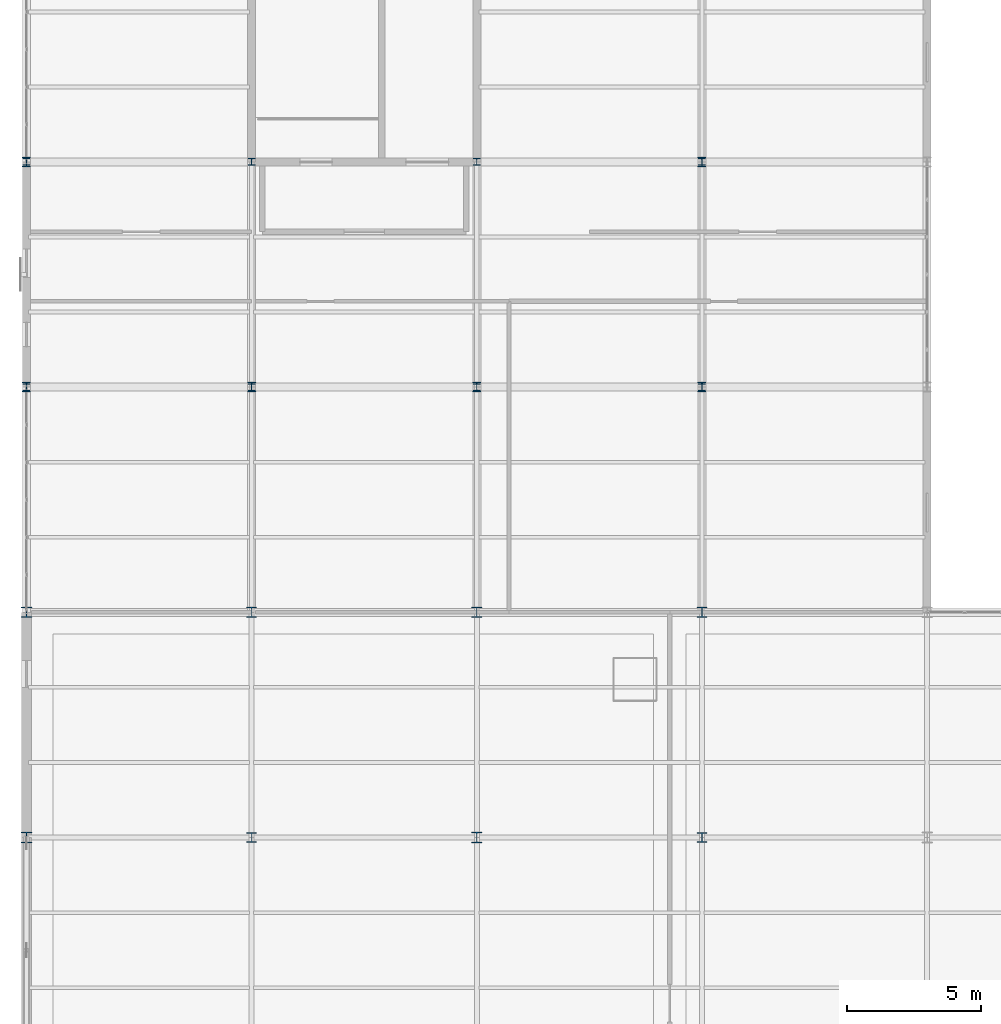
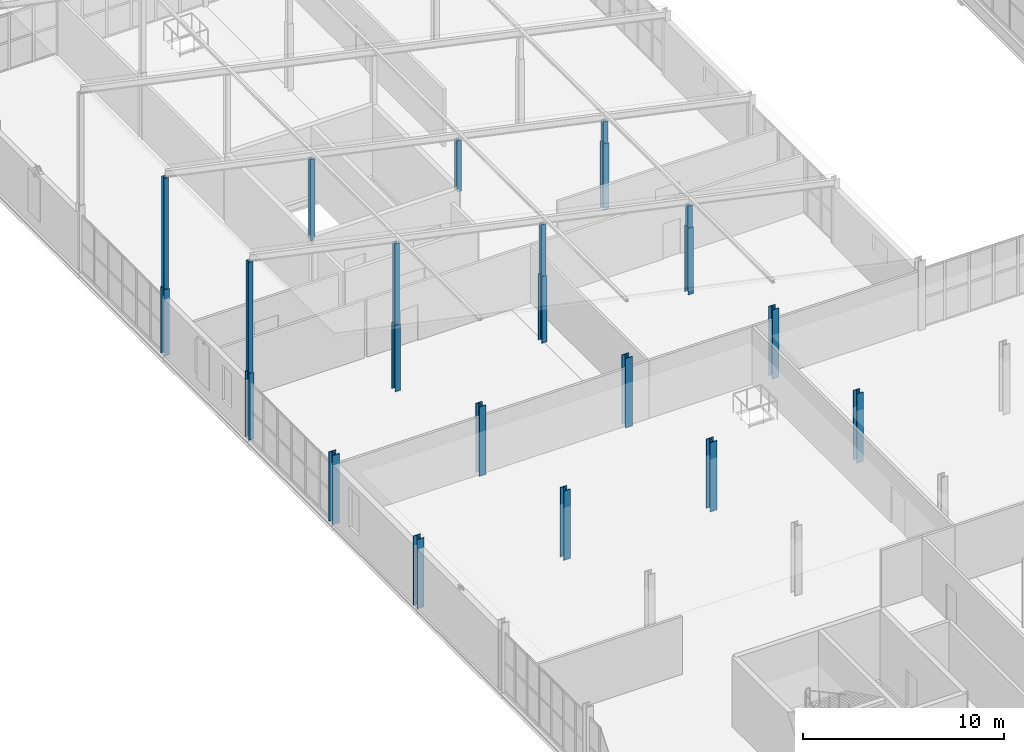
# One storey, part 3 of 184: 22 columns.
"""IFC4 building model written with IfcOpenShell, lengths in metres."""

from ifc_helpers import new_model, si_unit, direction, frame, origin, origin_2d, place, context, subcontext, project, spatial, i_section, extrude, material, material_profile, profile_set, type_object, element, save


model = new_model("IFC4")

# Units and contexts
model_context = context("Model", 3, precision=1e-05, world=origin(), true_north=direction((0.0, 1.0)))
body_context = subcontext(model_context, "Body", "Model", "MODEL_VIEW")
ifc_project = project(units=[si_unit("LENGTHUNIT", "METRE"), si_unit("AREAUNIT", "SQUARE_METRE"), si_unit("VOLUMEUNIT", "CUBIC_METRE"), si_unit("PLANEANGLEUNIT", "RADIAN"), si_unit("MASSUNIT", "GRAM", prefix="KILO")], contexts=[model_context])

# Site, building, storey
site_placement = place(None, origin())
site = spatial("IfcSite", under=ifc_project, at=site_placement, CompositionType="ELEMENT")
building_placement = place(site_placement, origin())
building = spatial("IfcBuilding", under=site, at=building_placement, Name="Qalvenar Corner Mobility Hub", CompositionType="ELEMENT")
storey_placement = place(building_placement, frame((0.0, 0.0, 9.0)))
storey = spatial("IfcBuildingStorey", under=building, at=storey_placement, Name="L02", CompositionType="ELEMENT", Elevation=9.0)

# Columns
ifc_material = material(Name="Steel S355", Category="steel")
ifc_material_profile_1 = material_profile(ifc_material, i_section(OverallWidth=0.376953125, OverallDepth=0.386962890625, WebThickness=0.0224609375, FlangeThickness=0.035888671875, FilletRadius=0.014892578125, at=origin_2d()), Name="HD360x262")
ifc_profile_set_1 = profile_set([ifc_material_profile_1], Name="Steel S355")
column_type_1 = type_object("IfcColumnType", Name="COL-HD360X262", PredefinedType="COLUMN", material=ifc_profile_set_1)
for number, where, z_axis, x_axis, name in (
    (1, (8.39990234375, 33.60009765625, 0.0), (0.0, 0.0, 1.0), (1.0, 0.0, 0.0), "Steel Column L02-G2-4"),
    (2, (8.39990234375, 42.0, 0.0), (0.0, 0.0, 1.0), (1.0, 0.0, 0.0), "Steel Column L02-G2-5"),
    (3, (25.199951171875, 33.60009765625, 0.0), (0.0, 0.0, 1.0), (1.0, 0.0, 0.0), "Steel Column L02-G4-4"),
    (4, (25.199951171875, 42.0, 0.0), (0.0, 0.0, 1.0), (1.0, 0.0, 0.0), "Steel Column L02-G4-5"),
):
    element("IfcColumn", number, at=place(storey_placement, frame(where, z_axis=z_axis, x_axis=x_axis)), inside=storey, type_object=column_type_1, Name=name, PredefinedType="COLUMN", context=body_context, shape_type="SweptSolid", body=[
        extrude(i_section(OverallWidth=0.376953125, OverallDepth=0.386962890625, WebThickness=0.0224609375, FlangeThickness=0.035888671875, FilletRadius=0.014892578125, at=origin_2d()), origin(), (0.0, 0.0, 1.0), 4.199951171875),
    ])
ifc_material_profile_2 = material_profile(ifc_material, i_section(OverallWidth=0.40087890625, OverallDepth=0.39892578125, WebThickness=0.02490234375, FlangeThickness=0.03955078125, FilletRadius=0.014892578125, at=origin_2d()), Name="HD400x314")
ifc_profile_set_2 = profile_set([ifc_material_profile_2], Name="Steel S355")
column_type_2 = type_object("IfcColumnType", Name="COL-HD400X314", PredefinedType="COLUMN", material=ifc_profile_set_2)
for number, where, z_axis, x_axis, name in (
    (5, (0.0, 33.60009765625, 0.0), (0.0, 0.0, 1.0), (1.0, 0.0, 0.0), "Steel Column L02-G1-4"),
    (6, (0.0, 42.0, 0.0), (0.0, 0.0, 1.0), (1.0, 0.0, 0.0), "Steel Column L02-G1-5"),
    (7, (16.800048828125, 33.60009765625, 0.0), (0.0, 0.0, 1.0), (1.0, 0.0, 0.0), "Steel Column L02-G3-4"),
    (8, (16.800048828125, 42.0, 0.0), (0.0, 0.0, 1.0), (1.0, 0.0, 0.0), "Steel Column L02-G3-5"),
):
    element("IfcColumn", number, at=place(storey_placement, frame(where, z_axis=z_axis, x_axis=x_axis)), inside=storey, type_object=column_type_2, Name=name, PredefinedType="COLUMN", context=body_context, shape_type="SweptSolid", body=[
        extrude(i_section(OverallWidth=0.40087890625, OverallDepth=0.39892578125, WebThickness=0.02490234375, FlangeThickness=0.03955078125, FilletRadius=0.014892578125, at=origin_2d()), origin(), (0.0, 0.0, 1.0), 4.199951171875),
    ])
ifc_material_profile_3 = material_profile(ifc_material, i_section(OverallWidth=0.300048828125, OverallDepth=0.35009765625, WebThickness=0.010009765625, FlangeThickness=0.017578125, FilletRadius=0.027099609375, at=origin_2d()), Name="HEA360")
ifc_profile_set_3 = profile_set([ifc_material_profile_3], Name="Steel S355")
column_type_3 = type_object("IfcColumnType", Name="COL-HEA360", PredefinedType="COLUMN", material=ifc_profile_set_3)
for number, where, z_axis, x_axis, name in (
    (9, (8.39990234375, 50.39990234375, 0.0), (0.0, 0.0, 1.0), (1.0, 0.0, 0.0), "Steel Column L02-G2-6"),
    (10, (25.199951171875, 50.39990234375, 0.0), (0.0, 0.0, 1.0), (1.0, 0.0, 0.0), "Steel Column L02-G4-6"),
    (11, (25.199951171875, 58.800048828125, 0.0), (0.0, 0.0, 1.0), (1.0, 0.0, 0.0), "Steel Column L02-G4-7"),
):
    element("IfcColumn", number, at=place(storey_placement, frame(where, z_axis=z_axis, x_axis=x_axis)), inside=storey, type_object=column_type_3, Name=name, PredefinedType="COLUMN", context=body_context, shape_type="SweptSolid", body=[
        extrude(i_section(OverallWidth=0.300048828125, OverallDepth=0.35009765625, WebThickness=0.010009765625, FlangeThickness=0.017578125, FilletRadius=0.027099609375, at=origin_2d()), origin(), (0.0, 0.0, 1.0), 4.030029296875),
    ])
ifc_material_profile_4 = material_profile(ifc_material, i_section(OverallWidth=0.260009765625, OverallDepth=0.260009765625, WebThickness=0.010009765625, FlangeThickness=0.017578125, FilletRadius=0.02392578125, at=origin_2d()), Name="HEB260")
ifc_profile_set_4 = profile_set([ifc_material_profile_4], Name="Steel S355")
column_type_4 = type_object("IfcColumnType", Name="COL-HEB260", PredefinedType="COLUMN", material=ifc_profile_set_4)
column_1_placement = place(storey_placement, frame((0.0, 50.39990234375, 4.030029296875), z_axis=(0.0, 0.0, 1.0), x_axis=(1.0, 0.0, 0.0)))
element("IfcColumn", 12, at=column_1_placement, inside=storey, type_object=column_type_4, Name="Bicycle Roof Post V5R-2-1", PredefinedType="COLUMN", context=body_context, shape_type="SweptSolid", body=[
    extrude(i_section(OverallWidth=0.260009765625, OverallDepth=0.260009765625, WebThickness=0.010009765625, FlangeThickness=0.017578125, FilletRadius=0.02392578125, at=origin_2d()), origin(), (0.0, 0.0, 1.0), 6.7099609375),
])
column_2_placement = place(storey_placement, frame((8.39990234375, 50.39990234375, 4.030029296875), z_axis=(0.0, 0.0, 1.0), x_axis=(1.0, 0.0, 0.0)))
element("IfcColumn", 13, at=column_2_placement, inside=storey, type_object=column_type_4, Name="Bicycle Roof Post V5R-2-2", PredefinedType="COLUMN", context=body_context, shape_type="SweptSolid", body=[
    extrude(i_section(OverallWidth=0.260009765625, OverallDepth=0.260009765625, WebThickness=0.010009765625, FlangeThickness=0.017578125, FilletRadius=0.02392578125, at=origin_2d()), origin(), (0.0, 0.0, 1.0), 4.909912109375),
])
column_3_placement = place(storey_placement, frame((16.800048828125, 50.39990234375, 4.030029296875), z_axis=(0.0, 0.0, 1.0), x_axis=(1.0, 0.0, 0.0)))
element("IfcColumn", 14, at=column_3_placement, inside=storey, type_object=column_type_4, Name="Bicycle Roof Post V5R-2-3", PredefinedType="COLUMN", context=body_context, shape_type="SweptSolid", body=[
    extrude(i_section(OverallWidth=0.260009765625, OverallDepth=0.260009765625, WebThickness=0.010009765625, FlangeThickness=0.017578125, FilletRadius=0.02392578125, at=origin_2d()), origin(), (0.0, 0.0, 1.0), 3.10986328125),
])
column_4_placement = place(storey_placement, frame((25.199951171875, 50.39990234375, 4.030029296875), z_axis=(0.0, 0.0, 1.0), x_axis=(1.0, 0.0, 0.0)))
element("IfcColumn", 15, at=column_4_placement, inside=storey, type_object=column_type_4, Name="Bicycle Roof Post V5R-2-4", PredefinedType="COLUMN", context=body_context, shape_type="SweptSolid", body=[
    extrude(i_section(OverallWidth=0.260009765625, OverallDepth=0.260009765625, WebThickness=0.010009765625, FlangeThickness=0.017578125, FilletRadius=0.02392578125, at=origin_2d()), origin(), (0.0, 0.0, 1.0), 1.31005859375),
])
column_5_placement = place(storey_placement, frame((0.0, 58.800048828125, 4.030029296875), z_axis=(0.0, 0.0, 1.0), x_axis=(1.0, 0.0, 0.0)))
element("IfcColumn", 16, at=column_5_placement, inside=storey, type_object=column_type_4, Name="Bicycle Roof Post V5R-3-1", PredefinedType="COLUMN", context=body_context, shape_type="SweptSolid", body=[
    extrude(i_section(OverallWidth=0.260009765625, OverallDepth=0.260009765625, WebThickness=0.010009765625, FlangeThickness=0.017578125, FilletRadius=0.02392578125, at=origin_2d()), origin(), (0.0, 0.0, 1.0), 6.7099609375),
])
column_6_placement = place(storey_placement, frame((8.39990234375, 58.800048828125, 4.030029296875), z_axis=(0.0, 0.0, 1.0), x_axis=(1.0, 0.0, 0.0)))
element("IfcColumn", 17, at=column_6_placement, inside=storey, type_object=column_type_4, Name="Bicycle Roof Post V5R-3-2", PredefinedType="COLUMN", context=body_context, shape_type="SweptSolid", body=[
    extrude(i_section(OverallWidth=0.260009765625, OverallDepth=0.260009765625, WebThickness=0.010009765625, FlangeThickness=0.017578125, FilletRadius=0.02392578125, at=origin_2d()), origin(), (0.0, 0.0, 1.0), 4.909912109375),
])
column_7_placement = place(storey_placement, frame((16.800048828125, 58.800048828125, 4.030029296875), z_axis=(0.0, 0.0, 1.0), x_axis=(1.0, 0.0, 0.0)))
element("IfcColumn", 18, at=column_7_placement, inside=storey, type_object=column_type_4, Name="Bicycle Roof Post V5R-3-3", PredefinedType="COLUMN", context=body_context, shape_type="SweptSolid", body=[
    extrude(i_section(OverallWidth=0.260009765625, OverallDepth=0.260009765625, WebThickness=0.010009765625, FlangeThickness=0.017578125, FilletRadius=0.02392578125, at=origin_2d()), origin(), (0.0, 0.0, 1.0), 3.10986328125),
])
column_8_placement = place(storey_placement, frame((25.199951171875, 58.800048828125, 4.030029296875), z_axis=(0.0, 0.0, 1.0), x_axis=(1.0, 0.0, 0.0)))
element("IfcColumn", 19, at=column_8_placement, inside=storey, type_object=column_type_4, Name="Bicycle Roof Post V5R-3-4", PredefinedType="COLUMN", context=body_context, shape_type="SweptSolid", body=[
    extrude(i_section(OverallWidth=0.260009765625, OverallDepth=0.260009765625, WebThickness=0.010009765625, FlangeThickness=0.017578125, FilletRadius=0.02392578125, at=origin_2d()), origin(), (0.0, 0.0, 1.0), 1.31005859375),
])
ifc_material_profile_5 = material_profile(ifc_material, i_section(OverallWidth=0.300048828125, OverallDepth=0.360107421875, WebThickness=0.012451171875, FlangeThickness=0.0224609375, FilletRadius=0.027099609375, at=origin_2d()), Name="HEB360")
ifc_profile_set_5 = profile_set([ifc_material_profile_5], Name="Steel S355")
column_type_5 = type_object("IfcColumnType", Name="COL-HEB360", PredefinedType="COLUMN", material=ifc_profile_set_5)
for number, where, z_axis, x_axis, name in (
    (20, (0.0, 50.39990234375, 0.0), (0.0, 0.0, 1.0), (1.0, 0.0, 0.0), "Steel Column L02-G1-6"),
    (21, (0.0, 58.800048828125, 0.0), (0.0, 0.0, 1.0), (1.0, 0.0, 0.0), "Steel Column L02-G1-7"),
    (22, (16.800048828125, 50.39990234375, 0.0), (0.0, 0.0, 1.0), (1.0, 0.0, 0.0), "Steel Column L02-G3-6"),
):
    element("IfcColumn", number, at=place(storey_placement, frame(where, z_axis=z_axis, x_axis=x_axis)), inside=storey, type_object=column_type_5, Name=name, PredefinedType="COLUMN", context=body_context, shape_type="SweptSolid", body=[
        extrude(i_section(OverallWidth=0.300048828125, OverallDepth=0.360107421875, WebThickness=0.012451171875, FlangeThickness=0.0224609375, FilletRadius=0.027099609375, at=origin_2d()), origin(), (0.0, 0.0, 1.0), 4.030029296875),
    ])

save(model, "model.ifc")
